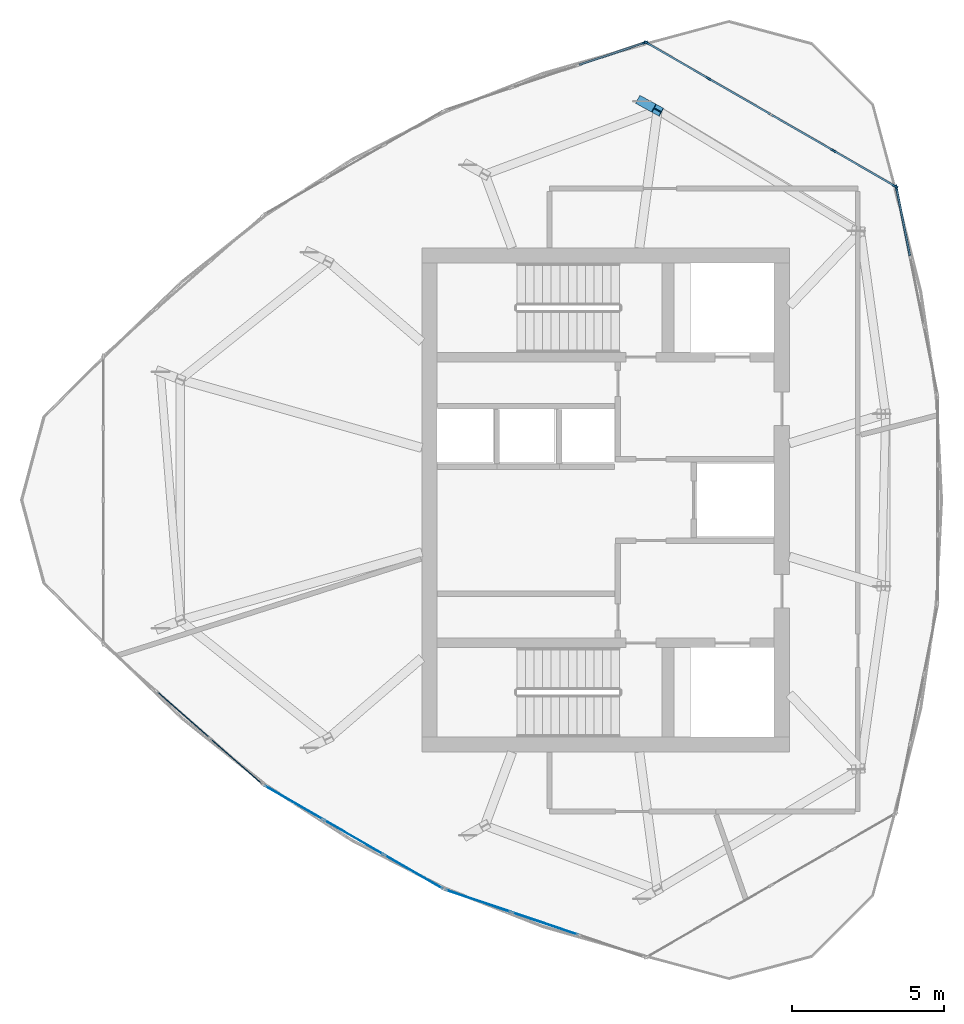
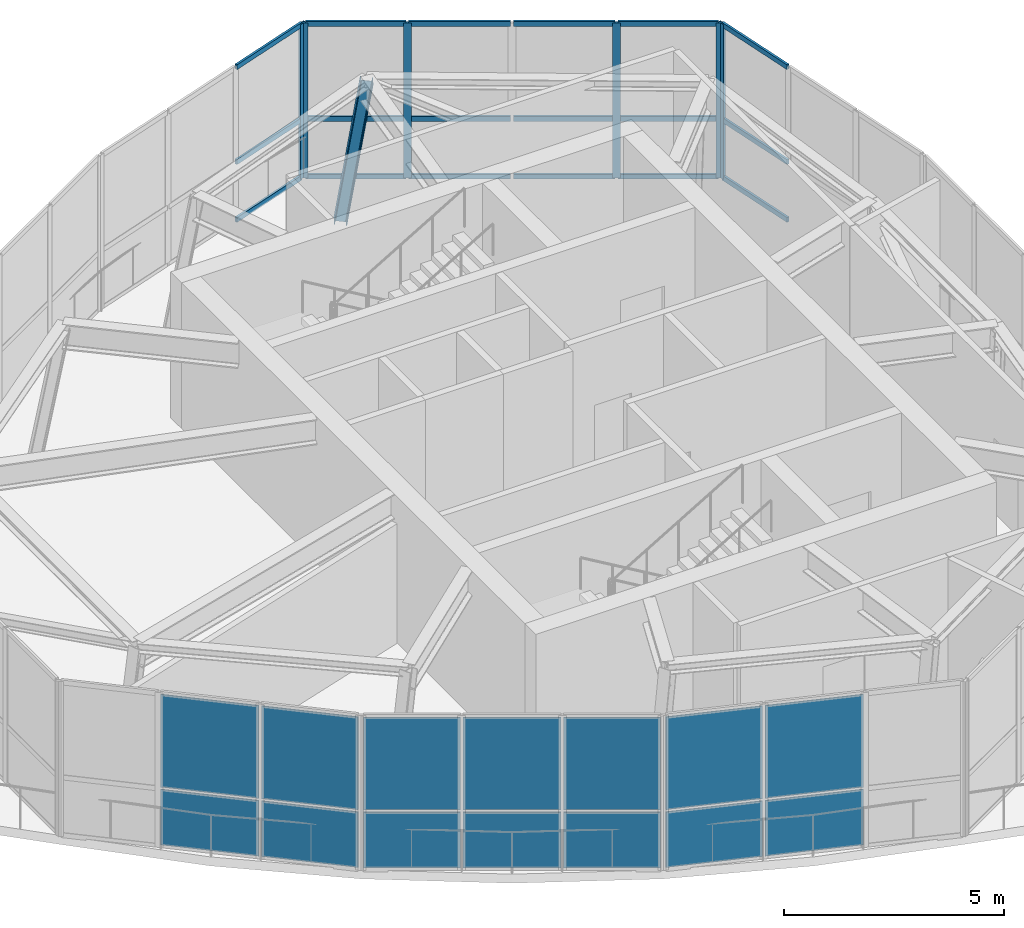
# One storey, part 5 of 11: 25 members, 14 plates, 6 elements without a shape of their own.
"""IFC4 building model written with IfcOpenShell, lengths in metres."""

from ifc_helpers import new_model, si_unit, direction, frame, origin, origin_2d, place, context, subcontext, project, spatial, rectangle, i_section, extrude, source, transform, mapped, material, layer, layer_set, material_profile, profile_set, type_object, element, aggregate, save


model = new_model("IFC4")

# Units and contexts
model_context = context("Model", 3, precision=1e-05, world=origin(), true_north=direction((0.0, 1.0)))
body_context = subcontext(model_context, "Body", "Model", "MODEL_VIEW")
ifc_project = project(units=[si_unit("LENGTHUNIT", "METRE"), si_unit("AREAUNIT", "SQUARE_METRE"), si_unit("VOLUMEUNIT", "CUBIC_METRE"), si_unit("PLANEANGLEUNIT", "RADIAN"), si_unit("MASSUNIT", "GRAM", prefix="KILO")], contexts=[model_context])

# Site, building, storey
site_placement = place(None, origin())
site = spatial("IfcSite", under=ifc_project, at=site_placement, CompositionType="ELEMENT")
building_placement = place(site_placement, origin())
building = spatial("IfcBuilding", under=site, at=building_placement, Name="Qafzar Sky-Pleat Residences", CompositionType="ELEMENT")
storey_placement = place(building_placement, frame((0.0, 0.0, 253.199951171875)))
storey = spatial("IfcBuildingStorey", under=building, at=storey_placement, Name="L76 Crown", CompositionType="ELEMENT", Elevation=253.199951171875)

# Member
ifc_material_1 = material(Name="Steel S460", Category="steel")
ifc_material_profile_1 = material_profile(ifc_material_1, i_section(OverallWidth=0.300048828125, OverallDepth=0.300048828125, WebThickness=0.010986328125, FlangeThickness=0.01904296875, FilletRadius=0.027099609375, at=origin_2d()), Name="HEB 300")
ifc_profile_set_1 = profile_set([ifc_material_profile_1], Name="Steel S460")
member_type_1 = type_object("IfcMemberType", Name="MEM-CROWN-RIB", PredefinedType="CHORD", material=ifc_profile_set_1)
shared_shape_1 = source(origin(), body_context, "Body", "SweptSolid", [
    extrude(i_section(OverallWidth=0.300048828125, OverallDepth=0.300048828125, WebThickness=0.010986328125, FlangeThickness=0.01904296875, FilletRadius=0.027099609375, at=origin_2d()), origin(), (0.0, 0.0, 1.0), 3.941650390625),
])
member_1_placement = place(storey_placement, frame((31.535400390625, 39.1181640625, 0.0), z_axis=(0.133165190514, -0.073086011538, 0.988395400107), x_axis=(0.481135942718, 0.876645997325, 0.0)))
element("IfcMember", 1, at=member_1_placement, inside=storey, type_object=member_type_1, Name="L76 Crown CROWN FRAME Inclined Rib 10", PredefinedType="CHORD", context=body_context, shape_type="MappedRepresentation", body=[
    mapped(shared_shape_1, transform((0.0, 0.0, 0.0), x_axis=(1.0, 0.0, 0.0), y_axis=(0.0, 1.0, 0.0), z_axis=(0.0, 0.0, 1.0), scale=1.0)),
])

# Curtain wall, member
ifc_material_2 = material(Name="Anodised bronze aluminium framing", Category="aluminium")
ifc_layer_1 = layer(ifc_material_2, 0.179931640625)
ifc_layer_set_1 = layer_set([ifc_layer_1], Name="Anodised bronze aluminium framing")
curtain_wall_type = type_object("IfcCurtainWallType", Name="CW-SYS-06", PredefinedType="NOTDEFINED", material=ifc_layer_set_1)
curtain_wall_1_placement = place(storey_placement, origin())
curtain_wall_1 = element("IfcCurtainWall", 2, at=curtain_wall_1_placement, inside=storey, type_object=curtain_wall_type, Name="L76 Crown CW-06 Curtain Wall CW-CROWN-01-08", PredefinedType="NOTDEFINED")
ifc_material_3 = material(Name="Anodised bronze aluminium", Category="aluminium")
ifc_material_profile_2 = material_profile(ifc_material_3, rectangle(XDim=0.06005859375, YDim=0.179931640625, at=origin_2d()), Name="ALU MULLION 60x180")
ifc_profile_set_2 = profile_set([ifc_material_profile_2], Name="Anodised bronze aluminium")
member_type_2 = type_object("IfcMemberType", Name="CWM-06", PredefinedType="MULLION", material=ifc_profile_set_2)
shared_shape_2 = source(origin(), body_context, "Body", "SweptSolid", [
    extrude(rectangle(XDim=0.06005859375, YDim=0.179931640625, at=origin_2d()), origin(), (0.0, 0.0, 1.0), 4.300048828125),
])
member_2_placement = place(storey_placement, frame((39.916015625, 36.27880859375, 0.0), z_axis=(0.0, 0.0, 1.0), x_axis=(-0.980581224497, -0.196113391089, 0.0)))
member_2 = element("IfcMember", 3, at=member_2_placement, type_object=member_type_2, Name="CW-06 mullion 4", PredefinedType="MULLION", context=body_context, shape_type="MappedRepresentation", body=[
    mapped(shared_shape_2, transform((0.0, 0.0, 0.0), x_axis=(1.0, 0.0, 0.0), y_axis=(0.0, 1.0, 0.0), z_axis=(0.0, 0.0, 1.0), scale=1.0)),
])

# Curtain wall, members
curtain_wall_2_placement = place(storey_placement, origin())
curtain_wall_2 = element("IfcCurtainWall", 4, at=curtain_wall_2_placement, inside=storey, type_object=curtain_wall_type, Name="L76 Crown CW-06 Curtain Wall CW-CROWN-01-09", PredefinedType="NOTDEFINED")
member_3_placement = place(storey_placement, frame((39.884033203125, 36.3232421875, 0.0), z_axis=(0.0, 0.0, 1.0), x_axis=(-0.50000340554, -0.866023437586, 0.0)))
member_3 = element("IfcMember", 5, at=member_3_placement, type_object=member_type_2, Name="CW-06 mullion 1", PredefinedType="MULLION", context=body_context, shape_type="MappedRepresentation", body=[
    mapped(shared_shape_2, transform((0.0, 0.0, 0.0), x_axis=(1.0, 0.0, 0.0), y_axis=(0.0, 1.0, 0.0), z_axis=(0.0, 0.0, 1.0), scale=1.0)),
])
member_4_placement = place(storey_placement, frame((37.85107421875, 37.4970703125, 0.0), z_axis=(0.0, 0.0, 1.0), x_axis=(-0.50000340554, -0.866023437586, 0.0)))
member_4 = element("IfcMember", 6, at=member_4_placement, type_object=member_type_2, Name="CW-06 mullion 2", PredefinedType="MULLION", context=body_context, shape_type="MappedRepresentation", body=[
    mapped(shared_shape_2, transform((0.0, 0.0, 0.0), x_axis=(1.0, 0.0, 0.0), y_axis=(0.0, 1.0, 0.0), z_axis=(0.0, 0.0, 1.0), scale=1.0)),
])
member_5_placement = place(storey_placement, frame((33.733154296875, 39.87451171875, 0.0), z_axis=(0.0, 0.0, 1.0), x_axis=(-0.50000340554, -0.866023437586, 0.0)))
member_5 = element("IfcMember", 7, at=member_5_placement, type_object=member_type_2, Name="CW-06 mullion 4", PredefinedType="MULLION", context=body_context, shape_type="MappedRepresentation", body=[
    mapped(shared_shape_2, transform((0.0, 0.0, 0.0), x_axis=(1.0, 0.0, 0.0), y_axis=(0.0, 1.0, 0.0), z_axis=(0.0, 0.0, 1.0), scale=1.0)),
])
member_6_placement = place(storey_placement, frame((31.7001953125, 41.04833984375, 0.0), z_axis=(0.0, 0.0, 1.0), x_axis=(-0.50000340554, -0.866023437586, 0.0)))
member_6 = element("IfcMember", 8, at=member_6_placement, type_object=member_type_2, Name="CW-06 mullion 5", PredefinedType="MULLION", context=body_context, shape_type="MappedRepresentation", body=[
    mapped(shared_shape_2, transform((0.0, 0.0, 0.0), x_axis=(1.0, 0.0, 0.0), y_axis=(0.0, 1.0, 0.0), z_axis=(0.0, 0.0, 1.0), scale=1.0)),
])

# Curtain wall, member
curtain_wall_3_placement = place(storey_placement, origin())
curtain_wall_3 = element("IfcCurtainWall", 9, at=curtain_wall_3_placement, inside=storey, type_object=curtain_wall_type, Name="L76 Crown CW-06 Curtain Wall CW-CROWN-01-10", PredefinedType="NOTDEFINED")
member_7_placement = place(storey_placement, frame((31.645751953125, 41.0537109375, 0.0), z_axis=(0.0, 0.0, 1.0), x_axis=(0.320453965191, -0.947264089995, 0.0)))
member_7 = element("IfcMember", 10, at=member_7_placement, type_object=member_type_2, Name="CW-06 mullion 1", PredefinedType="MULLION", context=body_context, shape_type="MappedRepresentation", body=[
    mapped(shared_shape_2, transform((0.0, 0.0, 0.0), x_axis=(1.0, 0.0, 0.0), y_axis=(0.0, 1.0, 0.0), z_axis=(0.0, 0.0, 1.0), scale=1.0)),
])

# Member
ifc_material_profile_3 = material_profile(ifc_material_3, rectangle(XDim=0.06005859375, YDim=0.135009765625, at=origin_2d()), Name="ALU TRANSOM 60x135")
ifc_profile_set_3 = profile_set([ifc_material_profile_3], Name="Anodised bronze aluminium")
member_type_3 = type_object("IfcMemberType", Name="CWT-06", PredefinedType="USERDEFINED", material=ifc_profile_set_3)
shared_shape_3 = source(origin(), body_context, "Body", "SweptSolid", [
    extrude(rectangle(XDim=0.06005859375, YDim=0.135009765625, at=origin_2d()), origin(), (0.0, 0.0, 1.0), 2.317626953125),
])
member_8_placement = place(storey_placement, frame((37.8251953125, 37.511962890625, 0.030029296875), z_axis=(-0.866043492773, 0.499968667644, 0.0), x_axis=(-0.499968667644, -0.866043492773, 0.0)))
member_8 = element("IfcMember", 11, at=member_8_placement, type_object=member_type_3, Name="CW-06 transom 2.1", ObjectType="TRANSOM", PredefinedType="USERDEFINED", context=body_context, shape_type="MappedRepresentation", body=[
    mapped(shared_shape_3, transform((0.0, 0.0, 0.0), x_axis=(1.0, 0.0, 0.0), y_axis=(0.0, 1.0, 0.0), z_axis=(0.0, 0.0, 1.0), scale=1.0)),
])

member_9_placement = place(storey_placement, frame((37.8251953125, 37.511962890625, 1.634033203125), z_axis=(-0.866043492773, 0.499968667644, 0.0), x_axis=(-0.499968667644, -0.866043492773, 0.0)))
member_9 = element("IfcMember", 12, at=member_9_placement, type_object=member_type_3, Name="CW-06 transom 2.2", ObjectType="TRANSOM", PredefinedType="USERDEFINED", context=body_context, shape_type="MappedRepresentation", body=[
    mapped(shared_shape_3, transform((0.0, 0.0, 0.0), x_axis=(1.0, 0.0, 0.0), y_axis=(0.0, 1.0, 0.0), z_axis=(0.0, 0.0, 1.0), scale=1.0)),
])

member_10_placement = place(storey_placement, frame((37.8251953125, 37.511962890625, 4.27001953125), z_axis=(-0.866043492773, 0.499968667644, 0.0), x_axis=(-0.499968667644, -0.866043492773, 0.0)))
member_10 = element("IfcMember", 13, at=member_10_placement, type_object=member_type_3, Name="CW-06 transom 2.3", ObjectType="TRANSOM", PredefinedType="USERDEFINED", context=body_context, shape_type="MappedRepresentation", body=[
    mapped(shared_shape_3, transform((0.0, 0.0, 0.0), x_axis=(1.0, 0.0, 0.0), y_axis=(0.0, 1.0, 0.0), z_axis=(0.0, 0.0, 1.0), scale=1.0)),
])

member_11_placement = place(storey_placement, frame((35.76611328125, 38.70068359375, 0.030029296875), z_axis=(-0.865997877636, 0.500047673657, 0.0), x_axis=(-0.500047673657, -0.865997877636, 0.0)))
member_11 = element("IfcMember", 14, at=member_11_placement, type_object=member_type_3, Name="CW-06 transom 3.1", ObjectType="TRANSOM", PredefinedType="USERDEFINED", context=body_context, shape_type="MappedRepresentation", body=[
    mapped(shared_shape_3, transform((0.0, 0.0, 0.0), x_axis=(1.0, 0.0, 0.0), y_axis=(0.0, 1.0, 0.0), z_axis=(0.0, 0.0, 1.0), scale=1.0)),
])

member_12_placement = place(storey_placement, frame((35.76611328125, 38.70068359375, 1.634033203125), z_axis=(-0.865997877636, 0.500047673657, 0.0), x_axis=(-0.500047673657, -0.865997877636, 0.0)))
member_12 = element("IfcMember", 15, at=member_12_placement, type_object=member_type_3, Name="CW-06 transom 3.2", ObjectType="TRANSOM", PredefinedType="USERDEFINED", context=body_context, shape_type="MappedRepresentation", body=[
    mapped(shared_shape_3, transform((0.0, 0.0, 0.0), x_axis=(1.0, 0.0, 0.0), y_axis=(0.0, 1.0, 0.0), z_axis=(0.0, 0.0, 1.0), scale=1.0)),
])

member_13_placement = place(storey_placement, frame((35.76611328125, 38.70068359375, 4.27001953125), z_axis=(-0.865997877636, 0.500047673657, 0.0), x_axis=(-0.500047673657, -0.865997877636, 0.0)))
member_13 = element("IfcMember", 16, at=member_13_placement, type_object=member_type_3, Name="CW-06 transom 3.3", ObjectType="TRANSOM", PredefinedType="USERDEFINED", context=body_context, shape_type="MappedRepresentation", body=[
    mapped(shared_shape_3, transform((0.0, 0.0, 0.0), x_axis=(1.0, 0.0, 0.0), y_axis=(0.0, 1.0, 0.0), z_axis=(0.0, 0.0, 1.0), scale=1.0)),
])

shared_shape_4 = source(origin(), body_context, "Body", "SweptSolid", [
    extrude(rectangle(XDim=0.06005859375, YDim=0.135009765625, at=origin_2d()), origin(), (0.0, 0.0, 1.0), 2.245849609375),
])
member_14_placement = place(storey_placement, frame((31.6171875, 41.044189453125, 0.030029296875), z_axis=(-0.947227649369, -0.320561663758, 0.0), x_axis=(0.320561663758, -0.947227649369, 0.0)))
member_14 = element("IfcMember", 17, at=member_14_placement, type_object=member_type_3, Name="CW-06 transom 1.1", ObjectType="TRANSOM", PredefinedType="USERDEFINED", context=body_context, shape_type="MappedRepresentation", body=[
    mapped(shared_shape_4, transform((0.0, 0.0, 0.0), x_axis=(1.0, 0.0, 0.0), y_axis=(0.0, 1.0, 0.0), z_axis=(0.0, 0.0, 1.0), scale=1.0)),
])

member_15_placement = place(storey_placement, frame((31.6171875, 41.044189453125, 1.634033203125), z_axis=(-0.947227649369, -0.320561663758, 0.0), x_axis=(0.320561663758, -0.947227649369, 0.0)))
member_15 = element("IfcMember", 18, at=member_15_placement, type_object=member_type_3, Name="CW-06 transom 1.2", ObjectType="TRANSOM", PredefinedType="USERDEFINED", context=body_context, shape_type="MappedRepresentation", body=[
    mapped(shared_shape_4, transform((0.0, 0.0, 0.0), x_axis=(1.0, 0.0, 0.0), y_axis=(0.0, 1.0, 0.0), z_axis=(0.0, 0.0, 1.0), scale=1.0)),
])

member_16_placement = place(storey_placement, frame((31.6171875, 41.044189453125, 4.27001953125), z_axis=(-0.947227649369, -0.320561663758, 0.0), x_axis=(0.320561663758, -0.947227649369, 0.0)))
member_16 = element("IfcMember", 19, at=member_16_placement, type_object=member_type_3, Name="CW-06 transom 1.3", ObjectType="TRANSOM", PredefinedType="USERDEFINED", context=body_context, shape_type="MappedRepresentation", body=[
    mapped(shared_shape_4, transform((0.0, 0.0, 0.0), x_axis=(1.0, 0.0, 0.0), y_axis=(0.0, 1.0, 0.0), z_axis=(0.0, 0.0, 1.0), scale=1.0)),
])

aggregate(curtain_wall_3, [member_7, member_14, member_15, member_16])

shared_shape_5 = source(origin(), body_context, "Body", "SweptSolid", [
    extrude(rectangle(XDim=0.06005859375, YDim=0.135009765625, at=origin_2d()), origin(), (0.0, 0.0, 1.0), 2.24609375),
])
member_17_placement = place(storey_placement, frame((40.3623046875, 34.046875, 0.030029296875), z_axis=(-0.196095231202, 0.980584856247, 0.0), x_axis=(-0.980584856247, -0.196095231202, 0.0)))
member_17 = element("IfcMember", 20, at=member_17_placement, type_object=member_type_3, Name="CW-06 transom 3.1", ObjectType="TRANSOM", PredefinedType="USERDEFINED", context=body_context, shape_type="MappedRepresentation", body=[
    mapped(shared_shape_5, transform((0.0, 0.0, 0.0), x_axis=(1.0, 0.0, 0.0), y_axis=(0.0, 1.0, 0.0), z_axis=(0.0, 0.0, 1.0), scale=1.0)),
])

member_18_placement = place(storey_placement, frame((40.3623046875, 34.046875, 1.634033203125), z_axis=(-0.196095231202, 0.980584856247, 0.0), x_axis=(-0.980584856247, -0.196095231202, 0.0)))
member_18 = element("IfcMember", 21, at=member_18_placement, type_object=member_type_3, Name="CW-06 transom 3.2", ObjectType="TRANSOM", PredefinedType="USERDEFINED", context=body_context, shape_type="MappedRepresentation", body=[
    mapped(shared_shape_5, transform((0.0, 0.0, 0.0), x_axis=(1.0, 0.0, 0.0), y_axis=(0.0, 1.0, 0.0), z_axis=(0.0, 0.0, 1.0), scale=1.0)),
])

member_19_placement = place(storey_placement, frame((40.3623046875, 34.046875, 4.27001953125), z_axis=(-0.196095231202, 0.980584856247, 0.0), x_axis=(-0.980584856247, -0.196095231202, 0.0)))
member_19 = element("IfcMember", 22, at=member_19_placement, type_object=member_type_3, Name="CW-06 transom 3.3", ObjectType="TRANSOM", PredefinedType="USERDEFINED", context=body_context, shape_type="MappedRepresentation", body=[
    mapped(shared_shape_5, transform((0.0, 0.0, 0.0), x_axis=(1.0, 0.0, 0.0), y_axis=(0.0, 1.0, 0.0), z_axis=(0.0, 0.0, 1.0), scale=1.0)),
])

aggregate(curtain_wall_1, [member_2, member_17, member_18, member_19])

shared_shape_6 = source(origin(), body_context, "Body", "SweptSolid", [
    extrude(rectangle(XDim=0.06005859375, YDim=0.135009765625, at=origin_2d()), origin(), (0.0, 0.0, 1.0), 2.287353515625),
])
member_20_placement = place(storey_placement, frame((39.858154296875, 36.338134765625, 0.030029296875), z_axis=(-0.86600784526, 0.500030411023, 0.0), x_axis=(-0.500030411023, -0.86600784526, 0.0)))
member_20 = element("IfcMember", 23, at=member_20_placement, type_object=member_type_3, Name="CW-06 transom 1.1", ObjectType="TRANSOM", PredefinedType="USERDEFINED", context=body_context, shape_type="MappedRepresentation", body=[
    mapped(shared_shape_6, transform((0.0, 0.0, 0.0), x_axis=(1.0, 0.0, 0.0), y_axis=(0.0, 1.0, 0.0), z_axis=(0.0, 0.0, 1.0), scale=1.0)),
])

member_21_placement = place(storey_placement, frame((39.858154296875, 36.338134765625, 1.634033203125), z_axis=(-0.86600784526, 0.500030411023, 0.0), x_axis=(-0.500030411023, -0.86600784526, 0.0)))
member_21 = element("IfcMember", 24, at=member_21_placement, type_object=member_type_3, Name="CW-06 transom 1.2", ObjectType="TRANSOM", PredefinedType="USERDEFINED", context=body_context, shape_type="MappedRepresentation", body=[
    mapped(shared_shape_6, transform((0.0, 0.0, 0.0), x_axis=(1.0, 0.0, 0.0), y_axis=(0.0, 1.0, 0.0), z_axis=(0.0, 0.0, 1.0), scale=1.0)),
])

member_22_placement = place(storey_placement, frame((39.858154296875, 36.338134765625, 4.27001953125), z_axis=(-0.86600784526, 0.500030411023, 0.0), x_axis=(-0.500030411023, -0.86600784526, 0.0)))
member_22 = element("IfcMember", 25, at=member_22_placement, type_object=member_type_3, Name="CW-06 transom 1.3", ObjectType="TRANSOM", PredefinedType="USERDEFINED", context=body_context, shape_type="MappedRepresentation", body=[
    mapped(shared_shape_6, transform((0.0, 0.0, 0.0), x_axis=(1.0, 0.0, 0.0), y_axis=(0.0, 1.0, 0.0), z_axis=(0.0, 0.0, 1.0), scale=1.0)),
])

member_23_placement = place(storey_placement, frame((33.70703125, 39.889404296875, 0.030029296875), z_axis=(-0.86600784526, 0.500030411023, 0.0), x_axis=(-0.500030411023, -0.86600784526, 0.0)))
member_23 = element("IfcMember", 26, at=member_23_placement, type_object=member_type_3, Name="CW-06 transom 4.1", ObjectType="TRANSOM", PredefinedType="USERDEFINED", context=body_context, shape_type="MappedRepresentation", body=[
    mapped(shared_shape_6, transform((0.0, 0.0, 0.0), x_axis=(1.0, 0.0, 0.0), y_axis=(0.0, 1.0, 0.0), z_axis=(0.0, 0.0, 1.0), scale=1.0)),
])

member_24_placement = place(storey_placement, frame((33.70703125, 39.889404296875, 1.634033203125), z_axis=(-0.86600784526, 0.500030411023, 0.0), x_axis=(-0.500030411023, -0.86600784526, 0.0)))
member_24 = element("IfcMember", 27, at=member_24_placement, type_object=member_type_3, Name="CW-06 transom 4.2", ObjectType="TRANSOM", PredefinedType="USERDEFINED", context=body_context, shape_type="MappedRepresentation", body=[
    mapped(shared_shape_6, transform((0.0, 0.0, 0.0), x_axis=(1.0, 0.0, 0.0), y_axis=(0.0, 1.0, 0.0), z_axis=(0.0, 0.0, 1.0), scale=1.0)),
])

member_25_placement = place(storey_placement, frame((33.70703125, 39.889404296875, 4.27001953125), z_axis=(-0.86600784526, 0.500030411023, 0.0), x_axis=(-0.500030411023, -0.86600784526, 0.0)))
member_25 = element("IfcMember", 28, at=member_25_placement, type_object=member_type_3, Name="CW-06 transom 4.3", ObjectType="TRANSOM", PredefinedType="USERDEFINED", context=body_context, shape_type="MappedRepresentation", body=[
    mapped(shared_shape_6, transform((0.0, 0.0, 0.0), x_axis=(1.0, 0.0, 0.0), y_axis=(0.0, 1.0, 0.0), z_axis=(0.0, 0.0, 1.0), scale=1.0)),
])

aggregate(curtain_wall_2, [member_3, member_4, member_5, member_6, member_20, member_21, member_22, member_8, member_9, member_10, member_11, member_12, member_13, member_23, member_24, member_25])

# Curtain wall, plate
curtain_wall_4_placement = place(storey_placement, origin())
curtain_wall_4 = element("IfcCurtainWall", 29, at=curtain_wall_4_placement, inside=storey, type_object=curtain_wall_type, Name="L76 Crown CW-06 Curtain Wall CW-CROWN-01-02", PredefinedType="NOTDEFINED")
ifc_material_4 = material(Name="Solar-control double low-E glazing", Category="glass")
ifc_layer_2 = layer(ifc_material_4, 0.02587890625)
ifc_layer_set_2 = layer_set([ifc_layer_2], Name="Solar-control double low-E glazing")
plate_type = type_object("IfcPlateType", Name="CWP-06", PredefinedType="CURTAIN_PANEL", material=ifc_layer_set_2)
shared_shape_7 = source(origin(), body_context, "Body", "SweptSolid", [
    extrude(rectangle(XDim=2.24609375, YDim=0.02587890625, at=origin_2d()), origin(), (0.0, 0.0, 1.0), 1.5439453125),
])
plate_1_placement = place(storey_placement, frame((18.1953125, 17.399658203125, 0.06005859375), z_axis=(0.0, 0.0, 1.0), x_axis=(0.751151819565, -0.6601294903, 0.0)))
plate_1 = element("IfcPlate", 30, at=plate_1_placement, type_object=plate_type, Name="CW-06 panel 3.1", PredefinedType="CURTAIN_PANEL", context=body_context, shape_type="MappedRepresentation", body=[
    mapped(shared_shape_7, transform((0.0, 0.0, 0.0), x_axis=(1.0, 0.0, 0.0), y_axis=(0.0, 1.0, 0.0), z_axis=(0.0, 0.0, 1.0), scale=1.0)),
])

curtain_wall_5_placement = place(storey_placement, origin())
curtain_wall_5 = element("IfcCurtainWall", 31, at=curtain_wall_5_placement, inside=storey, type_object=curtain_wall_type, Name="L76 Crown CW-06 Curtain Wall CW-CROWN-01-04", PredefinedType="NOTDEFINED")
plate_2_placement = place(storey_placement, frame((26.15625, 12.803466796875, 0.06005859375), z_axis=(0.0, 0.0, 1.0), x_axis=(0.947264089995, -0.320453965191, 0.0)))
plate_2 = element("IfcPlate", 32, at=plate_2_placement, type_object=plate_type, Name="CW-06 panel 1.1", PredefinedType="CURTAIN_PANEL", context=body_context, shape_type="MappedRepresentation", body=[
    mapped(shared_shape_7, transform((0.0, 0.0, 0.0), x_axis=(1.0, 0.0, 0.0), y_axis=(0.0, 1.0, 0.0), z_axis=(0.0, 0.0, 1.0), scale=1.0)),
])

# Plate
shared_shape_8 = source(origin(), body_context, "Body", "SweptSolid", [
    extrude(rectangle(XDim=2.24609375, YDim=0.02587890625, at=origin_2d()), origin(), (0.0, 0.0, 1.0), 2.575927734375),
])
plate_3_placement = place(storey_placement, frame((18.1953125, 17.399658203125, 1.6640625), z_axis=(0.0, 0.0, 1.0), x_axis=(0.751151819565, -0.6601294903, 0.0)))
plate_3 = element("IfcPlate", 33, at=plate_3_placement, type_object=plate_type, Name="CW-06 panel 3.2", PredefinedType="CURTAIN_PANEL", context=body_context, shape_type="MappedRepresentation", body=[
    mapped(shared_shape_8, transform((0.0, 0.0, 0.0), x_axis=(1.0, 0.0, 0.0), y_axis=(0.0, 1.0, 0.0), z_axis=(0.0, 0.0, 1.0), scale=1.0)),
])

plate_4_placement = place(storey_placement, frame((26.15625, 12.803466796875, 1.6640625), z_axis=(0.0, 0.0, 1.0), x_axis=(0.947264089995, -0.320453965191, 0.0)))
plate_4 = element("IfcPlate", 34, at=plate_4_placement, type_object=plate_type, Name="CW-06 panel 1.2", PredefinedType="CURTAIN_PANEL", context=body_context, shape_type="MappedRepresentation", body=[
    mapped(shared_shape_8, transform((0.0, 0.0, 0.0), x_axis=(1.0, 0.0, 0.0), y_axis=(0.0, 1.0, 0.0), z_axis=(0.0, 0.0, 1.0), scale=1.0)),
])

shared_shape_9 = source(origin(), body_context, "Body", "SweptSolid", [
    extrude(rectangle(XDim=2.276123046875, YDim=0.02587890625, at=origin_2d()), origin(), (0.0, 0.0, 1.0), 1.5439453125),
])
plate_5_placement = place(storey_placement, frame((16.451904296875, 18.931640625, 0.06005859375), z_axis=(0.0, 0.0, 1.0), x_axis=(0.751151819565, -0.6601294903, 0.0)))
plate_5 = element("IfcPlate", 35, at=plate_5_placement, type_object=plate_type, Name="CW-06 panel 2.1", PredefinedType="CURTAIN_PANEL", context=body_context, shape_type="MappedRepresentation", body=[
    mapped(shared_shape_9, transform((0.0, 0.0, 0.0), x_axis=(1.0, 0.0, 0.0), y_axis=(0.0, 1.0, 0.0), z_axis=(0.0, 0.0, 1.0), scale=1.0)),
])

plate_6_placement = place(storey_placement, frame((28.354736328125, 12.0595703125, 0.06005859375), z_axis=(0.0, 0.0, 1.0), x_axis=(0.947264089995, -0.320453965191, 0.0)))
plate_6 = element("IfcPlate", 36, at=plate_6_placement, type_object=plate_type, Name="CW-06 panel 2.1", PredefinedType="CURTAIN_PANEL", context=body_context, shape_type="MappedRepresentation", body=[
    mapped(shared_shape_9, transform((0.0, 0.0, 0.0), x_axis=(1.0, 0.0, 0.0), y_axis=(0.0, 1.0, 0.0), z_axis=(0.0, 0.0, 1.0), scale=1.0)),
])

shared_shape_10 = source(origin(), body_context, "Body", "SweptSolid", [
    extrude(rectangle(XDim=2.276123046875, YDim=0.02587890625, at=origin_2d()), origin(), (0.0, 0.0, 1.0), 2.575927734375),
])
plate_7_placement = place(storey_placement, frame((16.451904296875, 18.931640625, 1.6640625), z_axis=(0.0, 0.0, 1.0), x_axis=(0.751151819565, -0.6601294903, 0.0)))
plate_7 = element("IfcPlate", 37, at=plate_7_placement, type_object=plate_type, Name="CW-06 panel 2.2", PredefinedType="CURTAIN_PANEL", context=body_context, shape_type="MappedRepresentation", body=[
    mapped(shared_shape_10, transform((0.0, 0.0, 0.0), x_axis=(1.0, 0.0, 0.0), y_axis=(0.0, 1.0, 0.0), z_axis=(0.0, 0.0, 1.0), scale=1.0)),
])

aggregate(curtain_wall_4, [plate_5, plate_7, plate_1, plate_3])

plate_8_placement = place(storey_placement, frame((28.354736328125, 12.0595703125, 1.6640625), z_axis=(0.0, 0.0, 1.0), x_axis=(0.947264089995, -0.320453965191, 0.0)))
plate_8 = element("IfcPlate", 38, at=plate_8_placement, type_object=plate_type, Name="CW-06 panel 2.2", PredefinedType="CURTAIN_PANEL", context=body_context, shape_type="MappedRepresentation", body=[
    mapped(shared_shape_10, transform((0.0, 0.0, 0.0), x_axis=(1.0, 0.0, 0.0), y_axis=(0.0, 1.0, 0.0), z_axis=(0.0, 0.0, 1.0), scale=1.0)),
])

aggregate(curtain_wall_5, [plate_2, plate_4, plate_6, plate_8])

# Curtain wall, plates
curtain_wall_6_placement = place(storey_placement, origin())
curtain_wall_6 = element("IfcCurtainWall", 39, at=curtain_wall_6_placement, inside=storey, type_object=curtain_wall_type, Name="L76 Crown CW-06 Curtain Wall CW-CROWN-01-03", PredefinedType="NOTDEFINED")
shared_shape_11 = source(origin(), body_context, "Body", "SweptSolid", [
    extrude(rectangle(XDim=2.20068359375, YDim=0.02587890625, at=origin_2d()), origin(), (0.0, 0.0, 1.0), 1.5439453125),
])
plate_9_placement = place(storey_placement, frame((20.0888671875, 16.038330078125, 0.06005859375), z_axis=(0.0, 0.0, 1.0), x_axis=(0.866025411795, -0.499999986124, 0.0)))
plate_9 = element("IfcPlate", 40, at=plate_9_placement, type_object=plate_type, Name="CW-06 panel 1.1", PredefinedType="CURTAIN_PANEL", context=body_context, shape_type="MappedRepresentation", body=[
    mapped(shared_shape_11, transform((0.0, 0.0, 0.0), x_axis=(1.0, 0.0, 0.0), y_axis=(0.0, 1.0, 0.0), z_axis=(0.0, 0.0, 1.0), scale=1.0)),
])
plate_10_placement = place(storey_placement, frame((24.030517578125, 13.7626953125, 0.06005859375), z_axis=(0.0, 0.0, 1.0), x_axis=(0.866025411795, -0.499999986124, 0.0)))
plate_10 = element("IfcPlate", 41, at=plate_10_placement, type_object=plate_type, Name="CW-06 panel 3.1", PredefinedType="CURTAIN_PANEL", context=body_context, shape_type="MappedRepresentation", body=[
    mapped(shared_shape_11, transform((0.0, 0.0, 0.0), x_axis=(1.0, 0.0, 0.0), y_axis=(0.0, 1.0, 0.0), z_axis=(0.0, 0.0, 1.0), scale=1.0)),
])
shared_shape_12 = source(origin(), body_context, "Body", "SweptSolid", [
    extrude(rectangle(XDim=2.20068359375, YDim=0.02587890625, at=origin_2d()), origin(), (0.0, 0.0, 1.0), 2.575927734375),
])
plate_11_placement = place(storey_placement, frame((20.0888671875, 16.038330078125, 1.6640625), z_axis=(0.0, 0.0, 1.0), x_axis=(0.866025411795, -0.499999986124, 0.0)))
plate_11 = element("IfcPlate", 42, at=plate_11_placement, type_object=plate_type, Name="CW-06 panel 1.2", PredefinedType="CURTAIN_PANEL", context=body_context, shape_type="MappedRepresentation", body=[
    mapped(shared_shape_12, transform((0.0, 0.0, 0.0), x_axis=(1.0, 0.0, 0.0), y_axis=(0.0, 1.0, 0.0), z_axis=(0.0, 0.0, 1.0), scale=1.0)),
])
plate_12_placement = place(storey_placement, frame((24.030517578125, 13.7626953125, 1.6640625), z_axis=(0.0, 0.0, 1.0), x_axis=(0.866025411795, -0.499999986124, 0.0)))
plate_12 = element("IfcPlate", 43, at=plate_12_placement, type_object=plate_type, Name="CW-06 panel 3.2", PredefinedType="CURTAIN_PANEL", context=body_context, shape_type="MappedRepresentation", body=[
    mapped(shared_shape_12, transform((0.0, 0.0, 0.0), x_axis=(1.0, 0.0, 0.0), y_axis=(0.0, 1.0, 0.0), z_axis=(0.0, 0.0, 1.0), scale=1.0)),
])
shared_shape_13 = source(origin(), body_context, "Body", "SweptSolid", [
    extrude(rectangle(XDim=2.230712890625, YDim=0.02587890625, at=origin_2d()), origin(), (0.0, 0.0, 1.0), 1.5439453125),
])
plate_13_placement = place(storey_placement, frame((22.059814453125, 14.900634765625, 0.06005859375), z_axis=(0.0, 0.0, 1.0), x_axis=(0.866025411795, -0.499999986124, 0.0)))
plate_13 = element("IfcPlate", 44, at=plate_13_placement, type_object=plate_type, Name="CW-06 panel 2.1", PredefinedType="CURTAIN_PANEL", context=body_context, shape_type="MappedRepresentation", body=[
    mapped(shared_shape_13, transform((0.0, 0.0, 0.0), x_axis=(1.0, 0.0, 0.0), y_axis=(0.0, 1.0, 0.0), z_axis=(0.0, 0.0, 1.0), scale=1.0)),
])
shared_shape_14 = source(origin(), body_context, "Body", "SweptSolid", [
    extrude(rectangle(XDim=2.230712890625, YDim=0.02587890625, at=origin_2d()), origin(), (0.0, 0.0, 1.0), 2.575927734375),
])
plate_14_placement = place(storey_placement, frame((22.059814453125, 14.900634765625, 1.6640625), z_axis=(0.0, 0.0, 1.0), x_axis=(0.866025411795, -0.499999986124, 0.0)))
plate_14 = element("IfcPlate", 45, at=plate_14_placement, type_object=plate_type, Name="CW-06 panel 2.2", PredefinedType="CURTAIN_PANEL", context=body_context, shape_type="MappedRepresentation", body=[
    mapped(shared_shape_14, transform((0.0, 0.0, 0.0), x_axis=(1.0, 0.0, 0.0), y_axis=(0.0, 1.0, 0.0), z_axis=(0.0, 0.0, 1.0), scale=1.0)),
])
aggregate(curtain_wall_6, [plate_9, plate_11, plate_13, plate_14, plate_10, plate_12])

save(model, "model.ifc")
